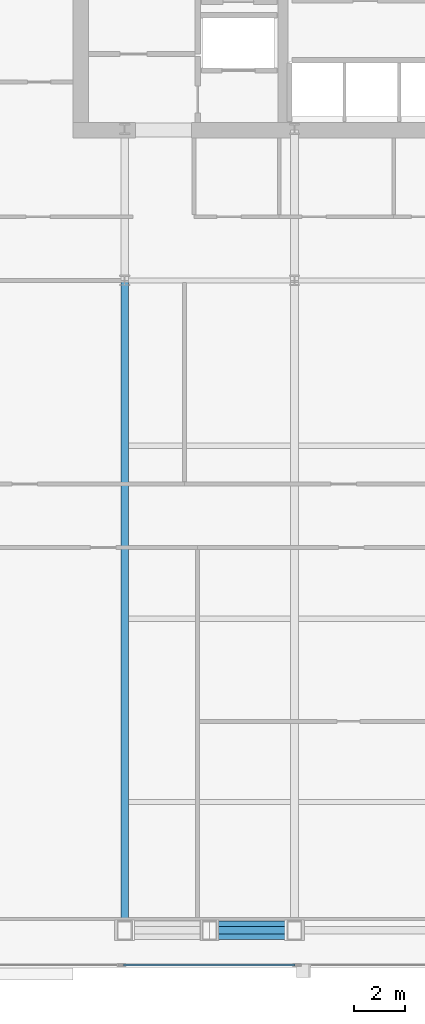
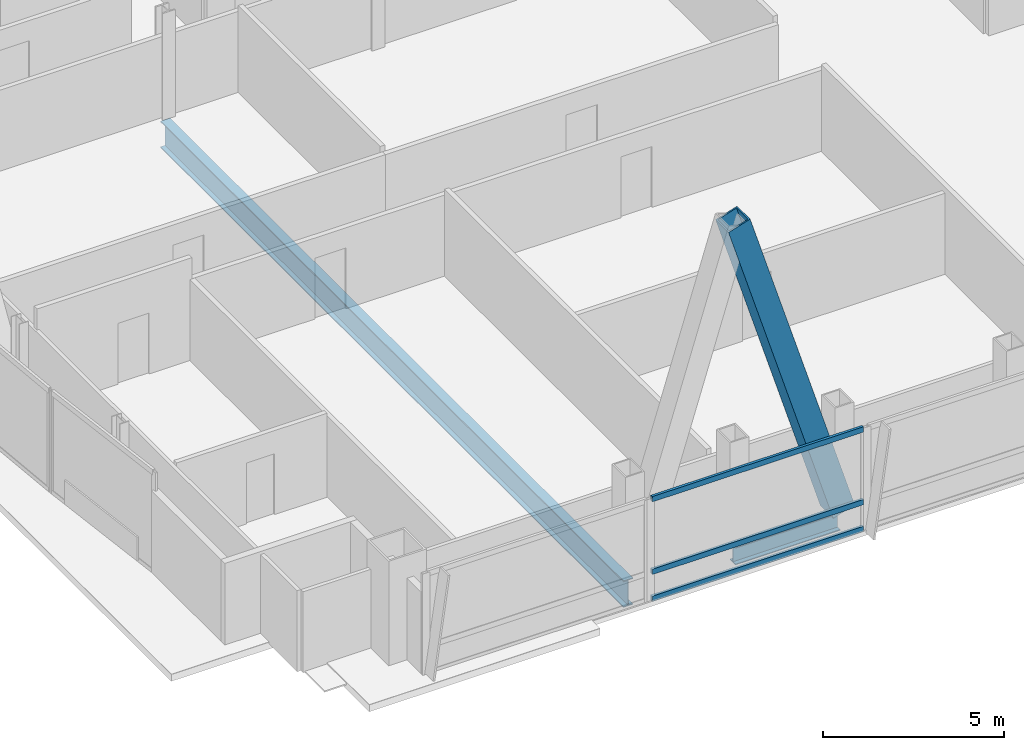
# One storey, part 7 of 32: 4 members, 2 beams, 1 element without a shape of its own.
"""IFC4 building model written with IfcOpenShell, lengths in metres."""

from ifc_helpers import new_model, si_unit, direction, frame, origin, origin_2d, place, context, subcontext, project, spatial, hollow_rectangle, i_section, extrude, material, material_profile, profile_set, type_object, element, aggregate, save


model = new_model("IFC4")

# Units and contexts
model_context = context("Model", 3, precision=1e-05, world=origin(), true_north=direction((0.0, 1.0)))
body_context = subcontext(model_context, "Body", "Model", "MODEL_VIEW")
ifc_project = project(units=[si_unit("LENGTHUNIT", "METRE"), si_unit("AREAUNIT", "SQUARE_METRE"), si_unit("VOLUMEUNIT", "CUBIC_METRE"), si_unit("PLANEANGLEUNIT", "RADIAN"), si_unit("MASSUNIT", "GRAM", prefix="KILO")], contexts=[model_context])

# Site, building, storey
site_placement = place(None, origin())
site = spatial("IfcSite", under=ifc_project, at=site_placement, CompositionType="ELEMENT")
building_placement = place(site_placement, origin())
building = spatial("IfcBuilding", under=site, at=building_placement, Name="Khoronbel Lancet Exchange", CompositionType="ELEMENT")
storey_placement = place(building_placement, frame((0.0, 0.0, 188.60009765625)))
storey = spatial("IfcBuildingStorey", under=building, at=storey_placement, Name="L47", CompositionType="ELEMENT", Elevation=188.60009765625)

# Beams
ifc_material_1 = material(Name="Steel S355", Category="steel")
ifc_material_profile_1 = material_profile(ifc_material_1, i_section(OverallWidth=0.300048828125, OverallDepth=0.89990234375, WebThickness=0.0185546875, FlangeThickness=0.034912109375, at=origin_2d()), Name="HEB 900")
ifc_profile_set_1 = profile_set([ifc_material_profile_1], Name="Steel S355")
beam_type_1 = type_object("IfcBeamType", Name="BM-BG1", PredefinedType="BEAM", material=ifc_profile_set_1)
beam_1_placement = place(storey_placement, frame((18.22509765625, 10.14990234375, -0.610107421875), z_axis=(0.0, 1.0, 0.0), x_axis=(-1.0, 0.0, 0.0)))
element("IfcBeam", 1, at=beam_1_placement, inside=storey, type_object=beam_type_1, Name="Level L47 south primary girder GS1", PredefinedType="BEAM", context=body_context, shape_type="SweptSolid", body=[
    extrude(i_section(OverallWidth=0.300048828125, OverallDepth=0.89990234375, WebThickness=0.0185546875, FlangeThickness=0.034912109375, at=origin_2d()), origin(), (0.0, 0.0, 1.0), 25.550048828125),
])
ifc_material_profile_2 = material_profile(ifc_material_1, i_section(OverallWidth=0.300048828125, OverallDepth=0.60009765625, WebThickness=0.015380859375, FlangeThickness=0.030029296875, at=origin_2d()), Name="HEB 600")
ifc_profile_set_2 = profile_set([ifc_material_profile_2], Name="Steel S355")
beam_type_2 = type_object("IfcBeamType", Name="BM-BSP2", PredefinedType="SPANDREL", material=ifc_profile_set_2)
beam_2_placement = place(storey_placement, frame((21.5625, 10.14990234375, -0.460205078125), z_axis=(1.0, 0.0, 0.0), x_axis=(0.0, 1.0, 0.0)))
element("IfcBeam", 2, at=beam_2_placement, inside=storey, type_object=beam_type_2, Name="Level L47 perimeter spandrel beam SP02", PredefinedType="SPANDREL", context=body_context, shape_type="SweptSolid", body=[
    extrude(i_section(OverallWidth=0.300048828125, OverallDepth=0.60009765625, WebThickness=0.015380859375, FlangeThickness=0.030029296875, at=origin_2d()), origin(), (0.0, 0.0, 1.0), 3.33740234375),
])

# Curtain wall, members
ifc_material_2 = material(Name="Low-E Solar Control Insulating Glass", Category="glass")
curtain_wall_type = type_object("IfcCurtainWallType", Name="CW-3", PredefinedType="NOTDEFINED", material=ifc_material_2)
curtain_wall_placement = place(storey_placement, origin())
curtain_wall = element("IfcCurtainWall", 3, at=curtain_wall_placement, inside=storey, type_object=curtain_wall_type, Name="Unitised curtain wall CW-L47-SWB", PredefinedType="NOTDEFINED")
ifc_material_3 = material(Name="Bronze-Anodised Aluminium 6063-T6", Category="aluminium")
ifc_material_profile_3 = material_profile(ifc_material_3, hollow_rectangle(XDim=0.0849609375, YDim=0.179931640625, WallThickness=0.0048828125, at=origin_2d()), Name="ALU TRANSOM 85x180")
ifc_profile_set_3 = profile_set([ifc_material_profile_3], Name="Bronze-Anodised Aluminium 6063-T6")
member_type_1 = type_object("IfcMemberType", Name="MEM-CWT1", PredefinedType="USERDEFINED", material=ifc_profile_set_3)
member_1_placement = place(storey_placement, frame((18.18505859375, 8.7900390625, 0.04248046875), z_axis=(1.0, 0.0, 0.0), x_axis=(0.0, 1.0, 0.0)))
member_1 = element("IfcMember", 4, at=member_1_placement, type_object=member_type_1, Name="CW3 transom 1.1", ObjectType="TRANSOM", PredefinedType="USERDEFINED", context=body_context, shape_type="SweptSolid", body=[
    extrude(hollow_rectangle(XDim=0.0849609375, YDim=0.179931640625, WallThickness=0.0048828125, at=origin_2d()), origin(), (0.0, 0.0, 1.0), 6.72998046875),
])
member_2_placement = place(storey_placement, frame((18.18505859375, 8.7900390625, 0.949951171875), z_axis=(1.0, 0.0, 0.0), x_axis=(0.0, 1.0, 0.0)))
member_2 = element("IfcMember", 5, at=member_2_placement, type_object=member_type_1, Name="CW3 transom 1.2", ObjectType="TRANSOM", PredefinedType="USERDEFINED", context=body_context, shape_type="SweptSolid", body=[
    extrude(hollow_rectangle(XDim=0.0849609375, YDim=0.179931640625, WallThickness=0.0048828125, at=origin_2d()), origin(), (0.0, 0.0, 1.0), 6.72998046875),
])
member_3_placement = place(storey_placement, frame((18.18505859375, 8.7900390625, 3.3974609375), z_axis=(1.0, 0.0, 0.0), x_axis=(0.0, 1.0, 0.0)))
member_3 = element("IfcMember", 6, at=member_3_placement, type_object=member_type_1, Name="CW3 transom 1.3", ObjectType="TRANSOM", PredefinedType="USERDEFINED", context=body_context, shape_type="SweptSolid", body=[
    extrude(hollow_rectangle(XDim=0.0849609375, YDim=0.179931640625, WallThickness=0.0048828125, at=origin_2d()), origin(), (0.0, 0.0, 1.0), 6.72998046875),
])
aggregate(curtain_wall, [member_1, member_2, member_3])

# Member
ifc_material_4 = material(Name="Steel S460", Category="steel")
ifc_material_profile_4 = material_profile(ifc_material_4, hollow_rectangle(XDim=0.719970703125, YDim=0.719970703125, WallThickness=0.050048828125, at=origin_2d()), Name="BOX 720x720x50")
ifc_profile_set_4 = profile_set([ifc_material_profile_4], Name="Steel S460")
member_type_2 = type_object("IfcMemberType", Name="MEM-MB2", PredefinedType="BRACE", material=ifc_profile_set_4)
member_4_placement = place(storey_placement, frame((24.89990234375, 10.14990234375, 0.0), z_axis=(-0.295248201357, 0.0, 0.955420587802), x_axis=(0.0, -1.0, 0.0)))
element("IfcMember", 7, at=member_4_placement, inside=storey, type_object=member_type_2, Name="Perimeter lancet brace tier 16 S-W-R", PredefinedType="BRACE", context=body_context, shape_type="SweptSolid", body=[
    extrude(hollow_rectangle(XDim=0.719970703125, YDim=0.719970703125, WallThickness=0.050048828125, at=origin_2d()), origin(), (0.0, 0.0, 1.0), 11.3037109375),
])

save(model, "model.ifc")
